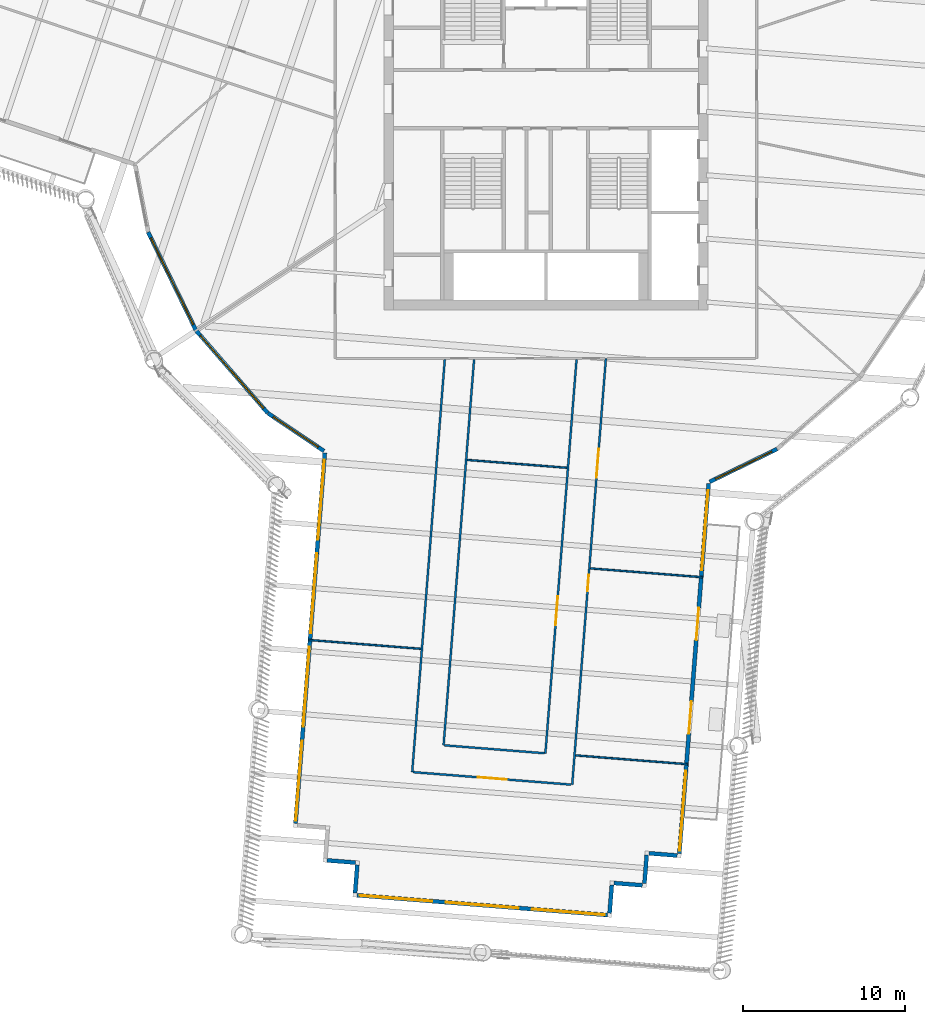
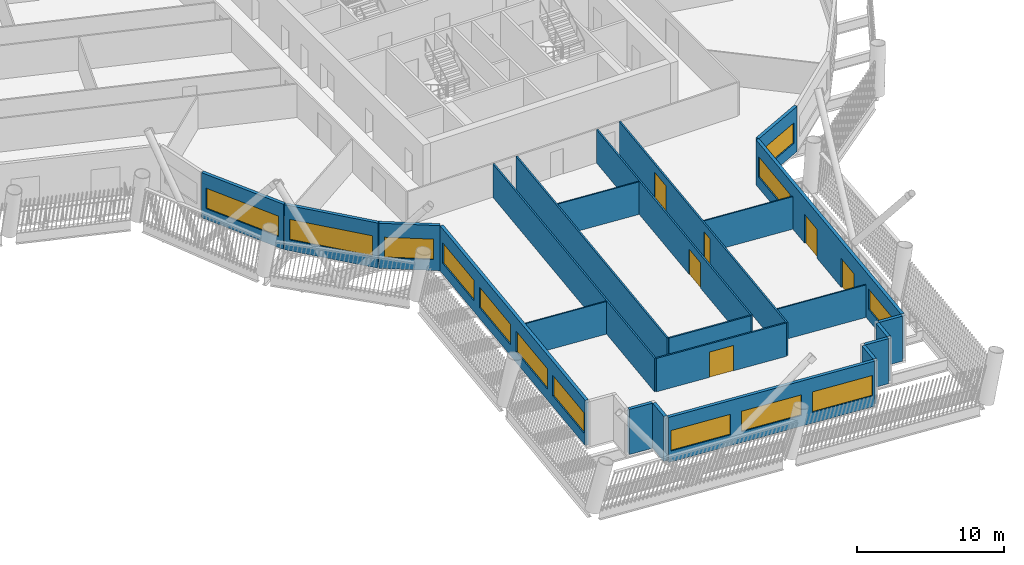
# One storey, part 3 of 21: 23 walls, 13 windows, 6 doors, 19 openings.
"""IFC4 building model written with IfcOpenShell, lengths in metres."""

from ifc_helpers import new_model, si_unit, direction, frame, frame_2d, origin, place, context, subcontext, project, spatial, rectangle, extrude, material, layer, layer_set, type_object, element, fill, save


model = new_model("IFC4")

# Units and contexts
model_context = context("Model", 3, precision=1e-05, world=origin(), true_north=direction((0.0, 1.0)))
body_context = subcontext(model_context, "Body", "Model", "MODEL_VIEW")
ifc_project = project(units=[si_unit("LENGTHUNIT", "METRE"), si_unit("AREAUNIT", "SQUARE_METRE"), si_unit("VOLUMEUNIT", "CUBIC_METRE"), si_unit("PLANEANGLEUNIT", "RADIAN"), si_unit("MASSUNIT", "GRAM", prefix="KILO")], contexts=[model_context])

# Site, building, storey
site_placement = place(None, origin())
site = spatial("IfcSite", under=ifc_project, at=site_placement, CompositionType="ELEMENT")
building_placement = place(site_placement, origin())
building = spatial("IfcBuilding", under=site, at=building_placement, Name="Tarsis Ring Headquarters", CompositionType="ELEMENT")
storey_placement = place(building_placement, frame((0.0, 0.0, 208.199951171875)))
storey = spatial("IfcBuildingStorey", under=building, at=storey_placement, Name="L48", CompositionType="ELEMENT", Elevation=208.199951171875)

# Walls
ifc_material_1 = material(Name="Gypsum board on steel studs", Category="steel")
ifc_layer_1 = layer(ifc_material_1, 0.10009765625)
ifc_layer_set_1 = layer_set([ifc_layer_1], Name="FL partition 100 unrated")
wall_type_1 = type_object("IfcWallType", Name="FL partition 100 unrated", PredefinedType="PARTITIONING", material=ifc_layer_set_1)
wall_1_placement = place(storey_placement, frame((2.747314453125, -28.946533203125, 0.0), z_axis=(0.0, 0.0, 1.0), x_axis=(0.996889778133, -0.078808440247, 0.0)))
element("IfcWall", 1, at=wall_1_placement, inside=storey, type_object=wall_type_1, Name="Partition PW3", PredefinedType="PARTITIONING", context=body_context, shape_type="SweptSolid", body=[
    extrude(rectangle(XDim=6.929931640625, YDim=0.10009765625, at=frame_2d((3.46484375, 0.0))), origin(), (0.0, 0.0, 1.0), 2.699951171875),
])
for number, where, z_axis, x_axis, name in (
    (2, (1.835693359375, -40.480712890625, 0.0), (0.0, 0.0, 1.0), (0.996892326654, -0.078776196014, 0.0), "Partition PW3"),
    (3, (-14.62451171875, -33.361083984375, 0.0), (0.0, 0.0, 1.0), (0.996886790769, -0.078846219881, 0.0), "Partition PW3"),
):
    element("IfcWall", number, at=place(storey_placement, frame(where, z_axis=z_axis, x_axis=x_axis)), inside=storey, type_object=wall_type_1, Name=name, PredefinedType="PARTITIONING", context=body_context, shape_type="SweptSolid", body=[
        extrude(rectangle(XDim=6.9296875, YDim=0.10009765625, at=frame_2d((3.46484375, 0.0))), origin(), (0.0, 0.0, 1.0), 2.699951171875),
    ])
wall_2_placement = place(storey_placement, frame((-4.84912109375, -22.257080078125, 0.0), z_axis=(0.0, 0.0, 1.0), x_axis=(0.996891189193, -0.07879058896, 0.0)))
element("IfcWall", 4, at=wall_2_placement, inside=storey, type_object=wall_type_1, Name="Partition PW3", PredefinedType="PARTITIONING", context=body_context, shape_type="SweptSolid", body=[
    extrude(rectangle(XDim=6.159912109375, YDim=0.10009765625, at=frame_2d((3.080078125, 0.0))), origin(), (0.0, 0.0, 1.0), 2.699951171875),
])

# Wall, openings, doors
ifc_layer_2 = layer(ifc_material_1, 0.125)
ifc_layer_set_2 = layer_set([ifc_layer_2], Name="FL partition 125 EI 60 H2770")
wall_type_2 = type_object("IfcWallType", Name="FL partition 125 EI 60 H2770", PredefinedType="PARTITIONING", material=ifc_layer_set_2)
wall_3_placement = place(storey_placement, frame((1.622314453125, -42.289306640625, 0.0), z_axis=(0.0, 0.0, 1.0), x_axis=(0.078811679878, 0.996889522021, 0.0)))
wall_3 = element("IfcWall", 5, at=wall_3_placement, inside=storey, type_object=wall_type_2, Name="Partition PW1", PredefinedType="PARTITIONING", context=body_context, shape_type="SweptSolid", body=[
    extrude(rectangle(XDim=26.371337890625, YDim=0.125, at=frame_2d((13.185546875, 0.0))), origin(), (0.0, 0.0, 1.0), 2.77001953125),
])
opening_1_placement = place(wall_3_placement, frame((18.982421875, 0.0, 0.0)))
opening_1 = element("IfcOpeningElement", 6, at=opening_1_placement, cuts=wall_3, Name="Opening D48.09", PredefinedType="OPENING", context=body_context, shape_type="SweptSolid", body=[
    extrude(rectangle(XDim=1.800048828125, YDim=2.10009765625, at=frame_2d((0.89990234375, 1.050048828125))), frame((0.0, 0.072509765625, 0.0), z_axis=(0.0, -1.0, 0.0), x_axis=(1.0, 0.0, 0.0)), (0.0, 0.0, 1.0), 0.14501953125),
])
opening_2_placement = place(wall_3_placement, frame((11.976806640625, 0.0, 0.0)))
opening_2 = element("IfcOpeningElement", 7, at=opening_2_placement, cuts=wall_3, Name="Opening D48.10", PredefinedType="OPENING", context=body_context, shape_type="SweptSolid", body=[
    extrude(rectangle(XDim=1.0, YDim=2.10009765625, at=frame_2d((0.5, 1.050048828125))), frame((0.0, 0.072509765625, 0.0), z_axis=(0.0, -1.0, 0.0), x_axis=(1.0, 0.0, 0.0)), (0.0, 0.0, 1.0), 0.14501953125),
])
ifc_material_2 = material(Name="Fire-rated timber door leaf in steel frame", Category="steel")
door_type_1 = type_object("IfcDoorType", Name="FL door FD60-1000", OperationType="NOTDEFINED", PredefinedType="DOOR", material=ifc_material_2)
door_1_placement = place(opening_2_placement, origin())
door_1 = element("IfcDoor", 8, at=door_1_placement, inside=storey, type_object=door_type_1, Name="Door D48.10", OperationType="SINGLE_SWING_RIGHT", OverallHeight=2.10009765625, OverallWidth=1.0, PredefinedType="DOOR", context=body_context, shape_type="SweptSolid", body=[
    extrude(rectangle(XDim=1.0, YDim=2.10009765625, at=frame_2d((0.5, 1.050048828125))), frame((0.0, 0.02490234375, 0.0), z_axis=(0.0, -1.0, 0.0), x_axis=(1.0, 0.0, 0.0)), (0.0, 0.0, 1.0), 0.050048828125),
])
fill(opening_2, door_1)
door_type_2 = type_object("IfcDoorType", Name="FL door FD60-1800", OperationType="DOUBLE_DOOR_SINGLE_SWING", PredefinedType="DOOR", material=ifc_material_2)
door_2_placement = place(opening_1_placement, origin())
door_2 = element("IfcDoor", 9, at=door_2_placement, inside=storey, type_object=door_type_2, Name="Door D48.09", OperationType="DOUBLE_DOOR_SINGLE_SWING", OverallHeight=2.10009765625, OverallWidth=1.800048828125, PredefinedType="DOOR", context=body_context, shape_type="SweptSolid", body=[
    extrude(rectangle(XDim=1.800048828125, YDim=2.10009765625, at=frame_2d((0.89990234375, 1.050048828125))), frame((0.0, 0.02490234375, 0.0), z_axis=(0.0, -1.0, 0.0), x_axis=(1.0, 0.0, 0.0)), (0.0, 0.0, 1.0), 0.050048828125),
])
fill(opening_1, door_2)

# Wall
wall_4_placement = place(storey_placement, frame((-8.246826171875, -41.50927734375, 0.0), z_axis=(0.0, 0.0, 1.0), x_axis=(0.078804068609, 0.99689012372, 0.0)))
element("IfcWall", 10, at=wall_4_placement, inside=storey, type_object=wall_type_2, Name="Partition PW1", PredefinedType="PARTITIONING", context=body_context, shape_type="SweptSolid", body=[
    extrude(rectangle(XDim=25.518798828125, YDim=0.125, at=frame_2d((12.75927734375, 0.0))), origin(), (0.0, 0.0, 1.0), 2.77001953125),
])

# Wall, opening, door
wall_5_placement = place(storey_placement, frame((-0.0302734375, -40.35302734375, 0.0), z_axis=(0.0, 0.0, 1.0), x_axis=(0.078807856994, 0.996889824241, 0.0)))
wall_5 = element("IfcWall", 11, at=wall_5_placement, inside=storey, type_object=wall_type_2, Name="Partition PW1", PredefinedType="PARTITIONING", context=body_context, shape_type="SweptSolid", body=[
    extrude(rectangle(XDim=24.35888671875, YDim=0.125, at=frame_2d((12.179443359375, 0.0))), origin(), (0.0, 0.0, 1.0), 2.77001953125),
])
opening_3_placement = place(wall_5_placement, frame((7.930419921875, 0.0, 0.0)))
opening_3 = element("IfcOpeningElement", 12, at=opening_3_placement, cuts=wall_5, Name="Opening D48.16", PredefinedType="OPENING", context=body_context, shape_type="SweptSolid", body=[
    extrude(rectangle(XDim=1.800048828125, YDim=2.10009765625, at=frame_2d((0.89990234375, 1.050048828125))), frame((0.0, 0.072509765625, 0.0), z_axis=(0.0, -1.0, 0.0), x_axis=(1.0, 0.0, 0.0)), (0.0, 0.0, 1.0), 0.14501953125),
])
door_3_placement = place(opening_3_placement, origin())
door_3 = element("IfcDoor", 13, at=door_3_placement, inside=storey, type_object=door_type_2, Name="Door D48.16", OperationType="DOUBLE_DOOR_SINGLE_SWING", OverallHeight=2.10009765625, OverallWidth=1.800048828125, PredefinedType="DOOR", context=body_context, shape_type="SweptSolid", body=[
    extrude(rectangle(XDim=1.800048828125, YDim=2.10009765625, at=frame_2d((0.89990234375, 1.050048828125))), frame((0.0, 0.02490234375, 0.0), z_axis=(0.0, -1.0, 0.0), x_axis=(1.0, 0.0, 0.0)), (0.0, 0.0, 1.0), 0.050048828125),
])
fill(opening_3, door_3)

# Wall
wall_6_placement = place(storey_placement, frame((-6.310546875, -39.856689453125, 0.0), z_axis=(0.0, 0.0, 1.0), x_axis=(0.078804971551, 0.996890052342, 0.0)))
element("IfcWall", 14, at=wall_6_placement, inside=storey, type_object=wall_type_2, Name="Partition PW1", PredefinedType="PARTITIONING", context=body_context, shape_type="SweptSolid", body=[
    extrude(rectangle(XDim=23.861083984375, YDim=0.125, at=frame_2d((11.9306640625, 0.0))), origin(), (0.0, 0.0, 1.0), 2.77001953125),
])

# Wall, opening, door
wall_7_placement = place(storey_placement, frame((-8.18701171875, -41.513916015625, 0.0), z_axis=(0.0, 0.0, 1.0), x_axis=(0.996889690042, -0.078809554552, 0.0)))
wall_7 = element("IfcWall", 15, at=wall_7_placement, inside=storey, type_object=wall_type_2, Name="Partition PW1", PredefinedType="PARTITIONING", context=body_context, shape_type="SweptSolid", body=[
    extrude(rectangle(XDim=9.780029296875, YDim=0.125, at=frame_2d((4.89013671875, 0.0))), origin(), (0.0, 0.0, 1.0), 2.77001953125),
])
opening_4_placement = place(wall_7_placement, frame((3.989990234375, 0.0, 0.0)))
opening_4 = element("IfcOpeningElement", 16, at=opening_4_placement, cuts=wall_7, Name="Opening D48.11", PredefinedType="OPENING", context=body_context, shape_type="SweptSolid", body=[
    extrude(rectangle(XDim=1.800048828125, YDim=2.10009765625, at=frame_2d((0.89990234375, 1.050048828125))), frame((0.0, 0.072509765625, 0.0), z_axis=(0.0, -1.0, 0.0), x_axis=(1.0, 0.0, 0.0)), (0.0, 0.0, 1.0), 0.14501953125),
])
door_4_placement = place(opening_4_placement, origin())
door_4 = element("IfcDoor", 17, at=door_4_placement, inside=storey, type_object=door_type_2, Name="Door D48.11", OperationType="DOUBLE_DOOR_SINGLE_SWING", OverallHeight=2.10009765625, OverallWidth=1.800048828125, PredefinedType="DOOR", context=body_context, shape_type="SweptSolid", body=[
    extrude(rectangle(XDim=1.800048828125, YDim=2.10009765625, at=frame_2d((0.89990234375, 1.050048828125))), frame((0.0, 0.02490234375, 0.0), z_axis=(0.0, -1.0, 0.0), x_axis=(1.0, 0.0, 0.0)), (0.0, 0.0, 1.0), 0.050048828125),
])
fill(opening_4, door_4)

# Wall
wall_8_placement = place(storey_placement, frame((-6.250732421875, -39.861328125, 0.0), z_axis=(0.0, 0.0, 1.0), x_axis=(0.996889333132, -0.078814069097, 0.0)))
element("IfcWall", 18, at=wall_8_placement, inside=storey, type_object=wall_type_2, Name="Partition PW1", PredefinedType="PARTITIONING", context=body_context, shape_type="SweptSolid", body=[
    extrude(rectangle(XDim=6.179931640625, YDim=0.125, at=frame_2d((3.08984375, 0.0))), origin(), (0.0, 0.0, 1.0), 2.77001953125),
])

# Wall, opening, window
ifc_material_3 = material(Name="Terracotta clad insulated panel wall", Category="masonry")
ifc_layer_3 = layer(ifc_material_3, 0.25)
ifc_layer_set_3 = layer_set([ifc_layer_3], Name="Facade wall terracotta panel 250")
wall_type_3 = type_object("IfcWallType", Name="Facade wall terracotta panel 250", PredefinedType="STANDARD", material=ifc_layer_set_3)
wall_9_placement = place(storey_placement, frame((-24.532470703125, -8.216064453125, 0.0), z_axis=(0.0, 0.0, 1.0), x_axis=(0.438037162965, -0.898956864294, 0.0)))
wall_9 = element("IfcWall", 19, at=wall_9_placement, inside=storey, type_object=wall_type_3, Name="External wall L48-03", PredefinedType="STANDARD", context=body_context, shape_type="SweptSolid", body=[
    extrude(rectangle(XDim=6.7216796875, YDim=0.25, at=frame_2d((3.36083984375, 0.0))), origin(), (0.0, 0.0, 1.0), 3.739990234375),
])
opening_5_placement = place(wall_9_placement, frame((0.3857421875, 0.0, 0.89990234375)))
opening_5 = element("IfcOpeningElement", 20, at=opening_5_placement, cuts=wall_9, Name="Opening WN07", PredefinedType="OPENING", context=body_context, shape_type="SweptSolid", body=[
    extrude(rectangle(XDim=5.949951171875, YDim=1.699951171875, at=frame_2d((2.97509765625, 0.85009765625))), frame((0.0, 0.135009765625, 0.0), z_axis=(0.0, -1.0, 0.0), x_axis=(1.0, 0.0, 0.0)), (0.0, 0.0, 1.0), 0.27001953125),
])
ifc_material_4 = material(Name="Aluminium framed double glazing", Category="aluminium")
window_type_1 = type_object("IfcWindowType", Name="Facade window 5950 x 1700", PartitioningType="SINGLE_PANEL", PredefinedType="WINDOW", material=ifc_material_4)
window_1_placement = place(opening_5_placement, origin())
window_1 = element("IfcWindow", 21, at=window_1_placement, inside=storey, type_object=window_type_1, Name="Window L48-03.1", OverallHeight=1.699951171875, OverallWidth=5.949951171875, PartitioningType="SINGLE_PANEL", PredefinedType="WINDOW", context=body_context, shape_type="SweptSolid", body=[
    extrude(rectangle(XDim=5.949951171875, YDim=1.699951171875, at=frame_2d((2.97509765625, 0.85009765625))), frame((0.0, 0.030029296875, 0.0), z_axis=(0.0, -1.0, 0.0), x_axis=(1.0, 0.0, 0.0)), (0.0, 0.0, 1.0), 0.06005859375),
])
fill(opening_5, window_1)

wall_10_placement = place(storey_placement, frame((-21.570068359375, -14.28564453125, 0.0), z_axis=(0.0, 0.0, 1.0), x_axis=(0.655787455455, -0.754945569739, 0.0)))
wall_10 = element("IfcWall", 22, at=wall_10_placement, inside=storey, type_object=wall_type_3, Name="External wall L48-04", PredefinedType="STANDARD", context=body_context, shape_type="SweptSolid", body=[
    extrude(rectangle(XDim=6.7216796875, YDim=0.25, at=frame_2d((3.36083984375, 0.0))), origin(), (0.0, 0.0, 1.0), 3.739990234375),
])
opening_6_placement = place(wall_10_placement, frame((0.3857421875, 0.0, 0.89990234375)))
opening_6 = element("IfcOpeningElement", 23, at=opening_6_placement, cuts=wall_10, Name="Opening WN07", PredefinedType="OPENING", context=body_context, shape_type="SweptSolid", body=[
    extrude(rectangle(XDim=5.949951171875, YDim=1.699951171875, at=frame_2d((2.97509765625, 0.85009765625))), frame((0.0, 0.135009765625, 0.0), z_axis=(0.0, -1.0, 0.0), x_axis=(1.0, 0.0, 0.0)), (0.0, 0.0, 1.0), 0.27001953125),
])
window_2_placement = place(opening_6_placement, origin())
window_2 = element("IfcWindow", 24, at=window_2_placement, inside=storey, type_object=window_type_1, Name="Window L48-04.1", OverallHeight=1.699951171875, OverallWidth=5.949951171875, PartitioningType="SINGLE_PANEL", PredefinedType="WINDOW", context=body_context, shape_type="SweptSolid", body=[
    extrude(rectangle(XDim=5.949951171875, YDim=1.699951171875, at=frame_2d((2.97509765625, 0.85009765625))), frame((0.0, 0.030029296875, 0.0), z_axis=(0.0, -1.0, 0.0), x_axis=(1.0, 0.0, 0.0)), (0.0, 0.0, 1.0), 0.06005859375),
])
fill(opening_6, window_2)

wall_11_placement = place(storey_placement, frame((-17.1376953125, -19.381591796875, 0.0), z_axis=(0.0, 0.0, 1.0), x_axis=(0.82883846279, -0.559487982534, 0.0)))
wall_11 = element("IfcWall", 25, at=wall_11_placement, inside=storey, type_object=wall_type_3, Name="External wall L48-05", PredefinedType="STANDARD", context=body_context, shape_type="SweptSolid", body=[
    extrude(rectangle(XDim=4.15771484375, YDim=0.25, at=frame_2d((2.078857421875, 0.0))), origin(), (0.0, 0.0, 1.0), 3.739990234375),
])
opening_7_placement = place(wall_11_placement, frame((0.38720703125, 0.0, 0.89990234375)))
opening_7 = element("IfcOpeningElement", 26, at=opening_7_placement, cuts=wall_11, Name="Opening WN01", PredefinedType="OPENING", context=body_context, shape_type="SweptSolid", body=[
    extrude(rectangle(XDim=3.35009765625, YDim=1.699951171875, at=frame_2d((1.675048828125, 0.85009765625))), frame((0.0, 0.135009765625, 0.0), z_axis=(0.0, -1.0, 0.0), x_axis=(1.0, 0.0, 0.0)), (0.0, 0.0, 1.0), 0.27001953125),
])
window_type_2 = type_object("IfcWindowType", Name="Facade window 3350 x 1700", PartitioningType="SINGLE_PANEL", PredefinedType="WINDOW", material=ifc_material_4)
window_3_placement = place(opening_7_placement, origin())
window_3 = element("IfcWindow", 27, at=window_3_placement, inside=storey, type_object=window_type_2, Name="Window L48-05.1", OverallHeight=1.699951171875, OverallWidth=3.35009765625, PartitioningType="SINGLE_PANEL", PredefinedType="WINDOW", context=body_context, shape_type="SweptSolid", body=[
    extrude(rectangle(XDim=3.35009765625, YDim=1.699951171875, at=frame_2d((1.675048828125, 0.85009765625))), frame((0.0, 0.030029296875, 0.0), z_axis=(0.0, -1.0, 0.0), x_axis=(1.0, 0.0, 0.0)), (0.0, 0.0, 1.0), 0.06005859375),
])
fill(opening_7, window_3)

# Wall, openings, windows
wall_12_placement = place(storey_placement, frame((-13.636962890625, -21.8212890625, 0.0), z_axis=(0.0, 0.0, 1.0), x_axis=(-0.078817248653, -0.996889081751, 0.0)))
wall_12 = element("IfcWall", 28, at=wall_12_placement, inside=storey, type_object=wall_type_3, Name="External wall L48-06", PredefinedType="STANDARD", context=body_context, shape_type="SweptSolid", body=[
    extrude(rectangle(XDim=22.921875, YDim=0.25, at=frame_2d((11.4609375, 0.0))), origin(), (0.0, 0.0, 1.0), 3.739990234375),
])
opening_8_placement = place(wall_12_placement, frame((0.42138671875, 0.0, 0.89990234375)))
opening_8 = element("IfcOpeningElement", 29, at=opening_8_placement, cuts=wall_12, Name="Opening WN05", PredefinedType="OPENING", context=body_context, shape_type="SweptSolid", body=[
    extrude(rectangle(XDim=4.949951171875, YDim=1.699951171875, at=frame_2d((2.47509765625, 0.85009765625))), frame((0.0, 0.135009765625, 0.0), z_axis=(0.0, -1.0, 0.0), x_axis=(1.0, 0.0, 0.0)), (0.0, 0.0, 1.0), 0.27001953125),
])
opening_9_placement = place(wall_12_placement, frame((6.214599609375, 0.0, 0.89990234375)))
opening_9 = element("IfcOpeningElement", 30, at=opening_9_placement, cuts=wall_12, Name="Opening WN05", PredefinedType="OPENING", context=body_context, shape_type="SweptSolid", body=[
    extrude(rectangle(XDim=4.949951171875, YDim=1.699951171875, at=frame_2d((2.47509765625, 0.85009765625))), frame((0.0, 0.135009765625, 0.0), z_axis=(0.0, -1.0, 0.0), x_axis=(1.0, 0.0, 0.0)), (0.0, 0.0, 1.0), 0.27001953125),
])
opening_10_placement = place(wall_12_placement, frame((12.007568359375, 0.0, 0.89990234375)))
opening_10 = element("IfcOpeningElement", 31, at=opening_10_placement, cuts=wall_12, Name="Opening WN05", PredefinedType="OPENING", context=body_context, shape_type="SweptSolid", body=[
    extrude(rectangle(XDim=4.949951171875, YDim=1.699951171875, at=frame_2d((2.47509765625, 0.85009765625))), frame((0.0, 0.135009765625, 0.0), z_axis=(0.0, -1.0, 0.0), x_axis=(1.0, 0.0, 0.0)), (0.0, 0.0, 1.0), 0.27001953125),
])
opening_11_placement = place(wall_12_placement, frame((17.800537109375, 0.0, 0.89990234375)))
opening_11 = element("IfcOpeningElement", 32, at=opening_11_placement, cuts=wall_12, Name="Opening WN05", PredefinedType="OPENING", context=body_context, shape_type="SweptSolid", body=[
    extrude(rectangle(XDim=4.949951171875, YDim=1.699951171875, at=frame_2d((2.47509765625, 0.85009765625))), frame((0.0, 0.135009765625, 0.0), z_axis=(0.0, -1.0, 0.0), x_axis=(1.0, 0.0, 0.0)), (0.0, 0.0, 1.0), 0.27001953125),
])
window_type_3 = type_object("IfcWindowType", Name="Facade window 4950 x 1700", PartitioningType="SINGLE_PANEL", PredefinedType="WINDOW", material=ifc_material_4)
window_4_placement = place(opening_8_placement, origin())
window_4 = element("IfcWindow", 33, at=window_4_placement, inside=storey, type_object=window_type_3, Name="Window L48-06.1", OverallHeight=1.699951171875, OverallWidth=4.949951171875, PartitioningType="SINGLE_PANEL", PredefinedType="WINDOW", context=body_context, shape_type="SweptSolid", body=[
    extrude(rectangle(XDim=4.949951171875, YDim=1.699951171875, at=frame_2d((2.47509765625, 0.85009765625))), frame((0.0, 0.030029296875, 0.0), z_axis=(0.0, -1.0, 0.0), x_axis=(1.0, 0.0, 0.0)), (0.0, 0.0, 1.0), 0.06005859375),
])
fill(opening_8, window_4)
window_5_placement = place(opening_9_placement, origin())
window_5 = element("IfcWindow", 34, at=window_5_placement, inside=storey, type_object=window_type_3, Name="Window L48-06.2", OverallHeight=1.699951171875, OverallWidth=4.949951171875, PartitioningType="SINGLE_PANEL", PredefinedType="WINDOW", context=body_context, shape_type="SweptSolid", body=[
    extrude(rectangle(XDim=4.949951171875, YDim=1.699951171875, at=frame_2d((2.47509765625, 0.85009765625))), frame((0.0, 0.030029296875, 0.0), z_axis=(0.0, -1.0, 0.0), x_axis=(1.0, 0.0, 0.0)), (0.0, 0.0, 1.0), 0.06005859375),
])
fill(opening_9, window_5)
window_6_placement = place(opening_10_placement, origin())
window_6 = element("IfcWindow", 35, at=window_6_placement, inside=storey, type_object=window_type_3, Name="Window L48-06.3", OverallHeight=1.699951171875, OverallWidth=4.949951171875, PartitioningType="SINGLE_PANEL", PredefinedType="WINDOW", context=body_context, shape_type="SweptSolid", body=[
    extrude(rectangle(XDim=4.949951171875, YDim=1.699951171875, at=frame_2d((2.47509765625, 0.85009765625))), frame((0.0, 0.030029296875, 0.0), z_axis=(0.0, -1.0, 0.0), x_axis=(1.0, 0.0, 0.0)), (0.0, 0.0, 1.0), 0.06005859375),
])
fill(opening_10, window_6)
window_7_placement = place(opening_11_placement, origin())
window_7 = element("IfcWindow", 36, at=window_7_placement, inside=storey, type_object=window_type_3, Name="Window L48-06.4", OverallHeight=1.699951171875, OverallWidth=4.949951171875, PartitioningType="SINGLE_PANEL", PredefinedType="WINDOW", context=body_context, shape_type="SweptSolid", body=[
    extrude(rectangle(XDim=4.949951171875, YDim=1.699951171875, at=frame_2d((2.47509765625, 0.85009765625))), frame((0.0, 0.030029296875, 0.0), z_axis=(0.0, -1.0, 0.0), x_axis=(1.0, 0.0, 0.0)), (0.0, 0.0, 1.0), 0.06005859375),
])
fill(opening_11, window_7)

# Walls
wall_13_placement = place(storey_placement, frame((-13.49267578125, -46.957763671875, 0.0), z_axis=(0.0, 0.0, 1.0), x_axis=(0.996888924822, -0.078819233491, 0.0)))
element("IfcWall", 37, at=wall_13_placement, inside=storey, type_object=wall_type_3, Name="External wall L48-09", PredefinedType="STANDARD", context=body_context, shape_type="SweptSolid", body=[
    extrude(rectangle(XDim=1.75, YDim=0.25, at=frame_2d((0.875, 0.0))), origin(), (0.0, 0.0, 1.0), 3.739990234375),
])
wall_14_placement = place(storey_placement, frame((-11.63330078125, -47.230224609375, 0.0), z_axis=(0.0, 0.0, 1.0), x_axis=(-0.078830196327, -0.996888057982, 0.0)))
element("IfcWall", 38, at=wall_14_placement, inside=storey, type_object=wall_type_3, Name="External wall L48-10", PredefinedType="STANDARD", context=body_context, shape_type="SweptSolid", body=[
    extrude(rectangle(XDim=1.749755859375, YDim=0.25, at=frame_2d((0.875, 0.0))), origin(), (0.0, 0.0, 1.0), 3.739990234375),
])

# Wall, openings, windows
wall_15_placement = place(storey_placement, frame((-11.656494140625, -49.109130859375, 0.0), z_axis=(0.0, 0.0, 1.0), x_axis=(0.996890306201, -0.078801760154, 0.0)))
wall_15 = element("IfcWall", 39, at=wall_15_placement, inside=storey, type_object=wall_type_3, Name="External wall L48-11", PredefinedType="STANDARD", context=body_context, shape_type="SweptSolid", body=[
    extrude(rectangle(XDim=15.5, YDim=0.25, at=frame_2d((7.75, 0.0))), origin(), (0.0, 0.0, 1.0), 3.739990234375),
])
opening_12_placement = place(wall_15_placement, frame((0.166748046875, 0.0, 0.89990234375)))
opening_12 = element("IfcOpeningElement", 40, at=opening_12_placement, cuts=wall_15, Name="Opening WN04", PredefinedType="OPENING", context=body_context, shape_type="SweptSolid", body=[
    extrude(rectangle(XDim=4.5, YDim=1.699951171875, at=frame_2d((2.25, 0.85009765625))), frame((0.0, 0.135009765625, 0.0), z_axis=(0.0, -1.0, 0.0), x_axis=(1.0, 0.0, 0.0)), (0.0, 0.0, 1.0), 0.27001953125),
])
opening_13_placement = place(wall_15_placement, frame((5.5, 0.0, 0.89990234375)))
opening_13 = element("IfcOpeningElement", 41, at=opening_13_placement, cuts=wall_15, Name="Opening WN04", PredefinedType="OPENING", context=body_context, shape_type="SweptSolid", body=[
    extrude(rectangle(XDim=4.5, YDim=1.699951171875, at=frame_2d((2.25, 0.85009765625))), frame((0.0, 0.135009765625, 0.0), z_axis=(0.0, -1.0, 0.0), x_axis=(1.0, 0.0, 0.0)), (0.0, 0.0, 1.0), 0.27001953125),
])
opening_14_placement = place(wall_15_placement, frame((10.833251953125, 0.0, 0.89990234375)))
opening_14 = element("IfcOpeningElement", 42, at=opening_14_placement, cuts=wall_15, Name="Opening WN04", PredefinedType="OPENING", context=body_context, shape_type="SweptSolid", body=[
    extrude(rectangle(XDim=4.5, YDim=1.699951171875, at=frame_2d((2.25, 0.85009765625))), frame((0.0, 0.135009765625, 0.0), z_axis=(0.0, -1.0, 0.0), x_axis=(1.0, 0.0, 0.0)), (0.0, 0.0, 1.0), 0.27001953125),
])
window_type_4 = type_object("IfcWindowType", Name="Facade window 4500 x 1700", PartitioningType="SINGLE_PANEL", PredefinedType="WINDOW", material=ifc_material_4)
window_8_placement = place(opening_12_placement, origin())
window_8 = element("IfcWindow", 43, at=window_8_placement, inside=storey, type_object=window_type_4, Name="Window L48-11.1", OverallHeight=1.699951171875, OverallWidth=4.5, PartitioningType="SINGLE_PANEL", PredefinedType="WINDOW", context=body_context, shape_type="SweptSolid", body=[
    extrude(rectangle(XDim=4.5, YDim=1.699951171875, at=frame_2d((2.25, 0.85009765625))), frame((0.0, 0.030029296875, 0.0), z_axis=(0.0, -1.0, 0.0), x_axis=(1.0, 0.0, 0.0)), (0.0, 0.0, 1.0), 0.06005859375),
])
fill(opening_12, window_8)
window_9_placement = place(opening_13_placement, origin())
window_9 = element("IfcWindow", 44, at=window_9_placement, inside=storey, type_object=window_type_4, Name="Window L48-11.2", OverallHeight=1.699951171875, OverallWidth=4.5, PartitioningType="SINGLE_PANEL", PredefinedType="WINDOW", context=body_context, shape_type="SweptSolid", body=[
    extrude(rectangle(XDim=4.5, YDim=1.699951171875, at=frame_2d((2.25, 0.85009765625))), frame((0.0, 0.030029296875, 0.0), z_axis=(0.0, -1.0, 0.0), x_axis=(1.0, 0.0, 0.0)), (0.0, 0.0, 1.0), 0.06005859375),
])
fill(opening_13, window_9)
window_10_placement = place(opening_14_placement, origin())
window_10 = element("IfcWindow", 45, at=window_10_placement, inside=storey, type_object=window_type_4, Name="Window L48-11.3", OverallHeight=1.699951171875, OverallWidth=4.5, PartitioningType="SINGLE_PANEL", PredefinedType="WINDOW", context=body_context, shape_type="SweptSolid", body=[
    extrude(rectangle(XDim=4.5, YDim=1.699951171875, at=frame_2d((2.25, 0.85009765625))), frame((0.0, 0.030029296875, 0.0), z_axis=(0.0, -1.0, 0.0), x_axis=(1.0, 0.0, 0.0)), (0.0, 0.0, 1.0), 0.06005859375),
])
fill(opening_14, window_10)

# Walls
wall_16_placement = place(storey_placement, frame((3.929931640625, -50.2158203125, 0.0), z_axis=(0.0, 0.0, 1.0), x_axis=(0.078830196327, 0.996888057982, 0.0)))
element("IfcWall", 46, at=wall_16_placement, inside=storey, type_object=wall_type_3, Name="External wall L48-12", PredefinedType="STANDARD", context=body_context, shape_type="SweptSolid", body=[
    extrude(rectangle(XDim=1.749755859375, YDim=0.25, at=frame_2d((0.875, 0.0))), origin(), (0.0, 0.0, 1.0), 3.739990234375),
])
wall_17_placement = place(storey_placement, frame((4.2021484375, -48.3564453125, 0.0), z_axis=(0.0, 0.0, 1.0), x_axis=(0.996888924822, -0.078819233491, 0.0)))
element("IfcWall", 47, at=wall_17_placement, inside=storey, type_object=wall_type_3, Name="External wall L48-13", PredefinedType="STANDARD", context=body_context, shape_type="SweptSolid", body=[
    extrude(rectangle(XDim=1.75, YDim=0.25, at=frame_2d((0.875, 0.0))), origin(), (0.0, 0.0, 1.0), 3.739990234375),
])
wall_18_placement = place(storey_placement, frame((6.081298828125, -48.379638671875, 0.0), z_axis=(0.0, 0.0, 1.0), x_axis=(0.078830196327, 0.996888057982, 0.0)))
element("IfcWall", 48, at=wall_18_placement, inside=storey, type_object=wall_type_3, Name="External wall L48-14", PredefinedType="STANDARD", context=body_context, shape_type="SweptSolid", body=[
    extrude(rectangle(XDim=1.749755859375, YDim=0.25, at=frame_2d((0.875, 0.0))), origin(), (0.0, 0.0, 1.0), 3.739990234375),
])
wall_19_placement = place(storey_placement, frame((6.353515625, -46.5205078125, 0.0), z_axis=(0.0, 0.0, 1.0), x_axis=(0.996899876619, -0.078680594796, 0.0)))
element("IfcWall", 49, at=wall_19_placement, inside=storey, type_object=wall_type_3, Name="External wall L48-15", PredefinedType="STANDARD", context=body_context, shape_type="SweptSolid", body=[
    extrude(rectangle(XDim=1.75, YDim=0.25, at=frame_2d((0.875, 0.0))), origin(), (0.0, 0.0, 1.0), 3.739990234375),
])

# Wall, openings, doors, windows
wall_20_placement = place(storey_placement, frame((8.232666015625, -46.54345703125, 0.0), z_axis=(0.0, 0.0, 1.0), x_axis=(0.078802854223, 0.996890219716, 0.0)))
wall_20 = element("IfcWall", 50, at=wall_20_placement, inside=storey, type_object=wall_type_3, Name="External wall L48-16", PredefinedType="STANDARD", context=body_context, shape_type="SweptSolid", body=[
    extrude(rectangle(XDim=22.9013671875, YDim=0.25, at=frame_2d((11.45068359375, 0.0))), origin(), (0.0, 0.0, 1.0), 3.739990234375),
])
opening_15_placement = place(wall_20_placement, frame((0.1689453125, 0.0, 0.89990234375)))
opening_15 = element("IfcOpeningElement", 51, at=opening_15_placement, cuts=wall_20, Name="Opening WN05", PredefinedType="OPENING", context=body_context, shape_type="SweptSolid", body=[
    extrude(rectangle(XDim=4.949951171875, YDim=1.699951171875, at=frame_2d((2.47509765625, 0.85009765625))), frame((0.0, 0.135009765625, 0.0), z_axis=(0.0, -1.0, 0.0), x_axis=(1.0, 0.0, 0.0)), (0.0, 0.0, 1.0), 0.27001953125),
])
opening_16_placement = place(wall_20_placement, frame((7.431640625, 0.0, 0.0)))
opening_16 = element("IfcOpeningElement", 52, at=opening_16_placement, cuts=wall_20, Name="Opening L48-BD03", PredefinedType="OPENING", context=body_context, shape_type="SweptSolid", body=[
    extrude(rectangle(XDim=2.0, YDim=2.39990234375, at=frame_2d((1.0, 1.199951171875))), frame((0.0, 0.135009765625, 0.0), z_axis=(0.0, -1.0, 0.0), x_axis=(1.0, 0.0, 0.0)), (0.0, 0.0, 1.0), 0.27001953125),
])
opening_17_placement = place(wall_20_placement, frame((13.219482421875, 0.0, 0.0)))
opening_17 = element("IfcOpeningElement", 53, at=opening_17_placement, cuts=wall_20, Name="Opening L48-BD04", PredefinedType="OPENING", context=body_context, shape_type="SweptSolid", body=[
    extrude(rectangle(XDim=2.0, YDim=2.39990234375, at=frame_2d((1.0, 1.199951171875))), frame((0.0, 0.135009765625, 0.0), z_axis=(0.0, -1.0, 0.0), x_axis=(1.0, 0.0, 0.0)), (0.0, 0.0, 1.0), 0.27001953125),
])
opening_18_placement = place(wall_20_placement, frame((17.532470703125, 0.0, 0.89990234375)))
opening_18 = element("IfcOpeningElement", 54, at=opening_18_placement, cuts=wall_20, Name="Opening WN05", PredefinedType="OPENING", context=body_context, shape_type="SweptSolid", body=[
    extrude(rectangle(XDim=4.949951171875, YDim=1.699951171875, at=frame_2d((2.47509765625, 0.85009765625))), frame((0.0, 0.135009765625, 0.0), z_axis=(0.0, -1.0, 0.0), x_axis=(1.0, 0.0, 0.0)), (0.0, 0.0, 1.0), 0.27001953125),
])
door_type_3 = type_object("IfcDoorType", Name="Balcony sliding door 2000 x 2400", OperationType="SLIDING_TO_LEFT", PredefinedType="DOOR", material=ifc_material_4)
door_5_placement = place(opening_16_placement, origin())
door_5 = element("IfcDoor", 55, at=door_5_placement, inside=storey, type_object=door_type_3, Name="Door L48-BD03", OperationType="SINGLE_SWING_LEFT", OverallHeight=2.39990234375, OverallWidth=2.0, PredefinedType="DOOR", context=body_context, shape_type="SweptSolid", body=[
    extrude(rectangle(XDim=2.0, YDim=2.39990234375, at=frame_2d((1.0, 1.199951171875))), frame((0.0, 0.02490234375, 0.0), z_axis=(0.0, -1.0, 0.0), x_axis=(1.0, 0.0, 0.0)), (0.0, 0.0, 1.0), 0.050048828125),
])
fill(opening_16, door_5)
door_6_placement = place(opening_17_placement, origin())
door_6 = element("IfcDoor", 56, at=door_6_placement, inside=storey, type_object=door_type_3, Name="Door L48-BD04", OperationType="SINGLE_SWING_LEFT", OverallHeight=2.39990234375, OverallWidth=2.0, PredefinedType="DOOR", context=body_context, shape_type="SweptSolid", body=[
    extrude(rectangle(XDim=2.0, YDim=2.39990234375, at=frame_2d((1.0, 1.199951171875))), frame((0.0, 0.02490234375, 0.0), z_axis=(0.0, -1.0, 0.0), x_axis=(1.0, 0.0, 0.0)), (0.0, 0.0, 1.0), 0.050048828125),
])
fill(opening_17, door_6)
window_11_placement = place(opening_15_placement, origin())
window_11 = element("IfcWindow", 57, at=window_11_placement, inside=storey, type_object=window_type_3, Name="Window L48-16.1", OverallHeight=1.699951171875, OverallWidth=4.949951171875, PartitioningType="SINGLE_PANEL", PredefinedType="WINDOW", context=body_context, shape_type="SweptSolid", body=[
    extrude(rectangle(XDim=4.949951171875, YDim=1.699951171875, at=frame_2d((2.47509765625, 0.85009765625))), frame((0.0, 0.030029296875, 0.0), z_axis=(0.0, -1.0, 0.0), x_axis=(1.0, 0.0, 0.0)), (0.0, 0.0, 1.0), 0.06005859375),
])
fill(opening_15, window_11)
window_12_placement = place(opening_18_placement, origin())
window_12 = element("IfcWindow", 58, at=window_12_placement, inside=storey, type_object=window_type_3, Name="Window L48-16.4", OverallHeight=1.699951171875, OverallWidth=4.949951171875, PartitioningType="SINGLE_PANEL", PredefinedType="WINDOW", context=body_context, shape_type="SweptSolid", body=[
    extrude(rectangle(XDim=4.949951171875, YDim=1.699951171875, at=frame_2d((2.47509765625, 0.85009765625))), frame((0.0, 0.030029296875, 0.0), z_axis=(0.0, -1.0, 0.0), x_axis=(1.0, 0.0, 0.0)), (0.0, 0.0, 1.0), 0.06005859375),
])
fill(opening_18, window_12)

# Wall, opening, window
wall_21_placement = place(storey_placement, frame((10.107177734375, -23.61083984375, 0.0), z_axis=(0.0, 0.0, 1.0), x_axis=(0.898969052064, 0.438012149868, 0.0)))
wall_21 = element("IfcWall", 59, at=wall_21_placement, inside=storey, type_object=wall_type_3, Name="External wall L48-17", PredefinedType="STANDARD", context=body_context, shape_type="SweptSolid", body=[
    extrude(rectangle(XDim=4.617919921875, YDim=0.25, at=frame_2d((2.30908203125, 0.0))), origin(), (0.0, 0.0, 1.0), 3.739990234375),
])
opening_19_placement = place(wall_21_placement, frame((0.400390625, 0.0, 0.89990234375)))
opening_19 = element("IfcOpeningElement", 60, at=opening_19_placement, cuts=wall_21, Name="Opening WN02", PredefinedType="OPENING", context=body_context, shape_type="SweptSolid", body=[
    extrude(rectangle(XDim=3.85009765625, YDim=1.699951171875, at=frame_2d((1.925048828125, 0.85009765625))), frame((0.0, 0.135009765625, 0.0), z_axis=(0.0, -1.0, 0.0), x_axis=(1.0, 0.0, 0.0)), (0.0, 0.0, 1.0), 0.27001953125),
])
window_type_5 = type_object("IfcWindowType", Name="Facade window 3850 x 1700", PartitioningType="SINGLE_PANEL", PredefinedType="WINDOW", material=ifc_material_4)
window_13_placement = place(opening_19_placement, origin())
window_13 = element("IfcWindow", 61, at=window_13_placement, inside=storey, type_object=window_type_5, Name="Window L48-17.1", OverallHeight=1.699951171875, OverallWidth=3.85009765625, PartitioningType="SINGLE_PANEL", PredefinedType="WINDOW", context=body_context, shape_type="SweptSolid", body=[
    extrude(rectangle(XDim=3.85009765625, YDim=1.699951171875, at=frame_2d((1.925048828125, 0.85009765625))), frame((0.0, 0.030029296875, 0.0), z_axis=(0.0, -1.0, 0.0), x_axis=(1.0, 0.0, 0.0)), (0.0, 0.0, 1.0), 0.06005859375),
])
fill(opening_19, window_13)

save(model, "model.ifc")
